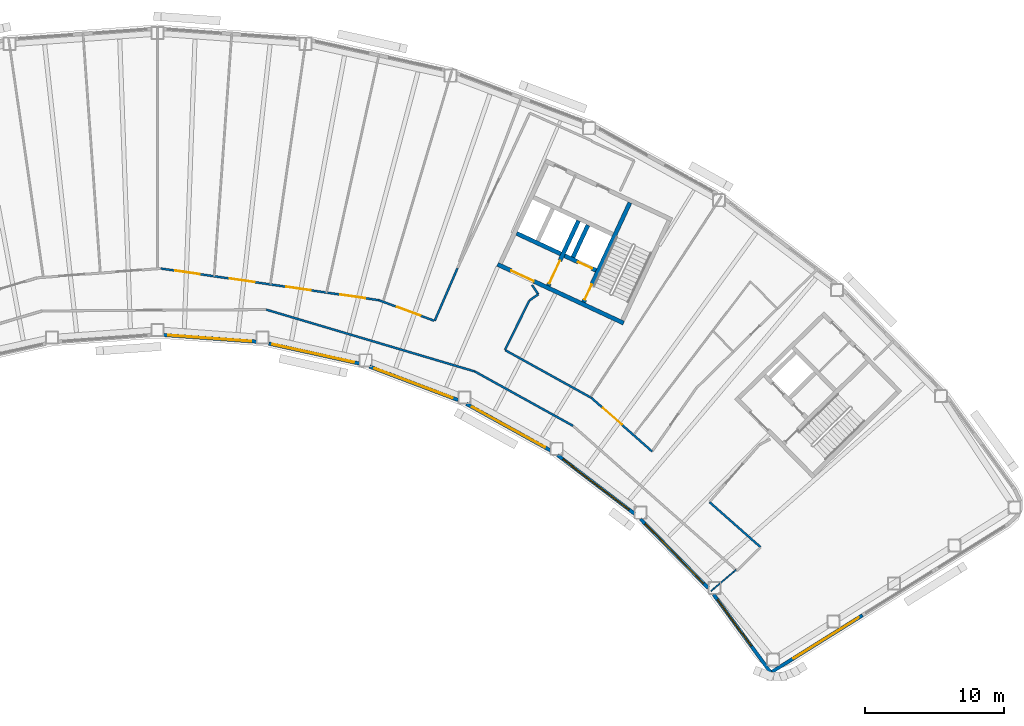
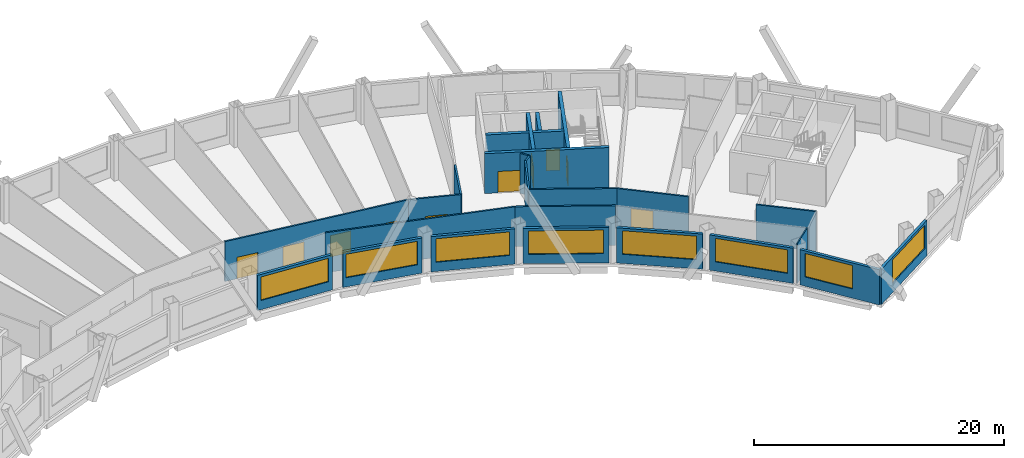
# One storey, part 8 of 13: 26 walls, 10 doors, 8 windows, 18 openings.
"""IFC4 building model written with IfcOpenShell, lengths in metres."""

import ifcopenshell
import ifcopenshell.guid

model = None  # the IFC model being written
_history = None  # IfcOwnerHistory: only IFC2X3 demands one
_inside = {}  # id of a spatial element -> (the spatial element, [elements in it])
_under = {}  # id of a project, library or spatial element -> (it, [spatial elements below it])
_declared = {}  # id of a project -> (the project, [libraries it declares])
_typed = {}  # id of a type object -> (the type object, [elements of that type])
_made_of = {}  # id of a material, layer set ... -> (it, [elements and type objects made of it])


def new_model(schema):
    """Start an empty IFC model of exactly this schema.

    Asked for "IFC4X3", IfcOpenShell would pick the latest addendum, in which some entities
    have other attributes; the version numbers below select the first issue.
    IFC2X3 requires an IfcOwnerHistory on every rooted entity: one is made here for all.
    """
    global model, _history
    if schema == "IFC4X3":
        model = ifcopenshell.file(schema_version=(4, 3, 0, 0))
    else:
        model = ifcopenshell.file(schema=schema)
    _inside.clear()
    _under.clear()
    _declared.clear()
    _typed.clear()
    _made_of.clear()
    _history = None
    if model.schema == "IFC2X3":
        org = make("IfcOrganization", Name="unknown")
        user = make(
            "IfcPersonAndOrganization",
            ThePerson=make("IfcPerson", FamilyName="unknown"),
            TheOrganization=org,
        )
        app = make(
            "IfcApplication",
            ApplicationDeveloper=org,
            Version="unknown",
            ApplicationFullName="unknown",
            ApplicationIdentifier="unknown",
        )
        _history = make(
            "IfcOwnerHistory",
            OwningUser=user,
            OwningApplication=app,
            ChangeAction="ADDED",
            CreationDate=0,
        )
    return model


def make(cls, **values):
    """One entity of the class cls with the attributes given. An attribute that is None is left unset."""
    return model.create_entity(
        cls, **{name: value for name, value in values.items() if value is not None}
    )


def rooted(cls, **values):
    """An entity with a GlobalId (a new one), such as an element, a storey or a relation."""
    return make(cls, GlobalId=ifcopenshell.guid.new(), OwnerHistory=_history, **values)


def si_unit(unit_type, name, prefix=None):
    """IfcSIUnit, for example si_unit("LENGTHUNIT", "METRE", prefix="MILLI")."""
    return make("IfcSIUnit", UnitType=unit_type, Prefix=prefix, Name=name)


def assignment(units):
    """IfcUnitAssignment: the units of a project."""
    return None if units is None else make("IfcUnitAssignment", Units=units)


def point(xyz):
    """IfcCartesianPoint."""
    return None if xyz is None else make("IfcCartesianPoint", Coordinates=xyz)


def direction(xyz):
    """IfcDirection."""
    return None if xyz is None else make("IfcDirection", DirectionRatios=xyz)


def frame(location, z_axis=None, x_axis=None):
    """IfcAxis2Placement3D, a coordinate frame: its origin and axes. An axis left out is left unset."""
    return make(
        "IfcAxis2Placement3D",
        Location=point(location),
        Axis=direction(z_axis),
        RefDirection=direction(x_axis),
    )


def frame_2d(location, x_axis=None):
    """IfcAxis2Placement2D, a coordinate frame in the plane: its origin and x axis."""
    return make(
        "IfcAxis2Placement2D", Location=point(location), RefDirection=direction(x_axis)
    )


def origin():
    """The frame at (0, 0, 0) with its axes left unset."""
    return frame((0.0, 0.0, 0.0))


def place(relative_to, where):
    """IfcLocalPlacement: puts the frame where relative to a parent placement (None: the world)."""
    return make(
        "IfcLocalPlacement", PlacementRelTo=relative_to, RelativePlacement=where
    )


def context(
    kind, dimensions, precision=None, world=None, true_north=None, identifier=None
):
    """IfcGeometricRepresentationContext, for example the 3D "Model" context."""
    return make(
        "IfcGeometricRepresentationContext",
        ContextIdentifier=identifier,
        ContextType=kind,
        CoordinateSpaceDimension=dimensions,
        Precision=precision,
        WorldCoordinateSystem=world,
        TrueNorth=true_north,
    )


def subcontext(parent, identifier, kind, view, scale=None):
    """IfcGeometricRepresentationSubContext, for example "Body" below "Model"."""
    return make(
        "IfcGeometricRepresentationSubContext",
        ContextIdentifier=identifier,
        ContextType=kind,
        ParentContext=parent,
        TargetScale=scale,
        TargetView=view,
    )


def project(units=None, contexts=None):
    """IfcProject with its units and contexts."""
    return rooted(
        "IfcProject",
        Name="project",
        RepresentationContexts=contexts,
        UnitsInContext=assignment(units),
    )


def spatial(cls, under=None, at=None, **own):
    """A site, building, storey or space (cls), placed at a placement, below another one or the project."""
    s = rooted(cls, ObjectPlacement=at, **own)
    if under is not None:
        _under.setdefault(under.id(), (under, []))[1].append(s)
    return s


def profile(cls, at=None, kind="AREA", **sizes):
    """A parametric profile (cls). Its sizes go by their IFC names, for example OverallWidth=200.0."""
    return make(cls, ProfileType=kind, Position=at, **sizes)


def rectangle(**sizes):
    """IfcRectangleProfileDef."""
    return profile("IfcRectangleProfileDef", **sizes)


def extrude(swept, where, along, depth):
    """IfcExtrudedAreaSolid: the profile swept, set in the frame where, extruded along a direction by depth."""
    return make(
        "IfcExtrudedAreaSolid",
        SweptArea=swept,
        Position=where,
        ExtrudedDirection=direction(along),
        Depth=depth,
    )


def shape(context_of_items, identifier, shape_type, items):
    """IfcShapeRepresentation: the items that make up one representation, for example the "Body"."""
    return make(
        "IfcShapeRepresentation",
        ContextOfItems=context_of_items,
        RepresentationIdentifier=identifier,
        RepresentationType=shape_type,
        Items=items,
    )


def material(Name=None, Category=None):
    """IfcMaterial."""
    return make("IfcMaterial", Name=Name, Category=Category)


def layer(
    of_material, thickness, ventilated=None, Name=None, Category=None, Priority=None
):
    """IfcMaterialLayer: one layer of a wall or slab, of a material (None: an air gap)."""
    return make(
        "IfcMaterialLayer",
        Material=of_material,
        LayerThickness=thickness,
        IsVentilated=ventilated,
        Name=Name,
        Category=Category,
        Priority=Priority,
    )


def layer_set(layers, Name=None):
    """IfcMaterialLayerSet."""
    return make("IfcMaterialLayerSet", MaterialLayers=layers, LayerSetName=Name)


def made_of(thing, what):
    """Note that an element or type object is made of a material, layer set ...; save() writes the relation."""
    if what is not None:
        _made_of.setdefault(what.id(), (what, []))[1].append(thing)
    return thing


def type_object(cls, material=None, **own):
    """A type object (cls), such as IfcWallType, which elements share."""
    return made_of(rooted(cls, **own), material)


def element(
    cls,
    number,
    at=None,
    inside=None,
    cuts=None,
    type_object=None,
    material=None,
    context=None,
    identifier="Body",
    shape_type=None,
    held_by="IfcProductDefinitionShape",
    body=None,
    shapes=None,
    **own,
):
    """One element of the class cls, such as IfcWall. Its Tag is "e" and its number.

    at: its placement. inside: the storey or other place that contains it. cuts: it is an
    opening in that element (IfcRelVoidsElement). A single representation is given by context,
    identifier, shape_type and body (its items); several are given by shapes. held_by: the class
    of the entity that holds the representations. save() writes the other relations.
    """
    e = rooted(cls, Tag="e%d" % number, ObjectPlacement=at, **own)
    if body is not None:
        shapes = [shape(context, identifier, shape_type, body)]
    if shapes is not None:
        e.Representation = make(held_by, Representations=shapes)
    if inside is not None:
        _inside.setdefault(inside.id(), (inside, []))[1].append(e)
    if cuts is not None:
        rooted(
            "IfcRelVoidsElement", RelatingBuildingElement=cuts, RelatedOpeningElement=e
        )
    if type_object is not None:
        _typed.setdefault(type_object.id(), (type_object, []))[1].append(e)
    return made_of(e, material)


def fill(opening, filler):
    """IfcRelFillsElement: the door or window that sits in an opening."""
    return rooted(
        "IfcRelFillsElement",
        RelatingOpeningElement=opening,
        RelatedBuildingElement=filler,
    )


def aggregate(whole, parts):
    """IfcRelAggregates: a whole, such as a stair, and the parts it consists of."""
    return rooted("IfcRelAggregates", RelatingObject=whole, RelatedObjects=parts)


def save(model, path):
    """Write the relations noted so far, then the file.

    IfcRelAggregates (storeys below a building ...), IfcRelContainedInSpatialStructure (elements
    in a storey), IfcRelDefinesByType, IfcRelAssociatesMaterial and IfcRelDeclares: one each for
    every whole, place, type object, material and project.
    """
    for whole, parts in _under.values():
        aggregate(whole, parts)
    for where, things in _inside.values():
        rooted(
            "IfcRelContainedInSpatialStructure",
            RelatedElements=things,
            RelatingStructure=where,
        )
    for kind, things in _typed.values():
        rooted("IfcRelDefinesByType", RelatedObjects=things, RelatingType=kind)
    for what, things in _made_of.values():
        rooted("IfcRelAssociatesMaterial", RelatedObjects=things, RelatingMaterial=what)
    for by, libraries in _declared.values():
        rooted("IfcRelDeclares", RelatingContext=by, RelatedDefinitions=libraries)
    model.write(path)


model = new_model("IFC4")

# Units and contexts
model_context = context("Model", 3, precision=1e-05, world=origin(), true_north=direction((0.0, 1.0)))
body_context = subcontext(model_context, "Body", "Model", "MODEL_VIEW")
ifc_project = project(units=[si_unit("LENGTHUNIT", "METRE"), si_unit("AREAUNIT", "SQUARE_METRE"), si_unit("VOLUMEUNIT", "CUBIC_METRE"), si_unit("PLANEANGLEUNIT", "RADIAN"), si_unit("MASSUNIT", "GRAM", prefix="KILO")], contexts=[model_context])

# Site, building, storey
site_placement = place(None, origin())
site = spatial("IfcSite", under=ifc_project, at=site_placement, CompositionType="ELEMENT")
building_placement = place(site_placement, origin())
building = spatial("IfcBuilding", under=site, at=building_placement, Name="Tuul Gate Civic Tower", CompositionType="ELEMENT")
storey_placement = place(building_placement, frame((0.0, 0.0, 188.89990234375)))
storey = spatial("IfcBuildingStorey", under=building, at=storey_placement, Name="Level 43", CompositionType="ELEMENT", Elevation=188.89990234375)

# Wall, opening, door
ifc_material_1 = material(Name="Concrete C50/60", Category="concrete")
ifc_layer_1 = layer(ifc_material_1, 0.300048828125)
ifc_layer_set_1 = layer_set([ifc_layer_1], Name="Concrete C50/60")
wall_type_1 = type_object("IfcWallType", Name="Core wall C50/60", PredefinedType="SHEAR", material=ifc_layer_set_1)
wall_1_placement = place(storey_placement, frame((34.5283203125, -7.25, 0.0), z_axis=(0.0, 0.0, 1.0), x_axis=(-0.906310338845, 0.422612789327, 0.0)))
wall_1 = element("IfcWall", 1, at=wall_1_placement, inside=storey, type_object=wall_type_1, Name="Core wall", PredefinedType="SHEAR", context=body_context, shape_type="SweptSolid", body=[
    extrude(rectangle(XDim=9.999755859375, YDim=0.300048828125, at=frame_2d((5.0, 0.0))), origin(), (0.0, 0.0, 1.0), 3.900146484375),
])
opening_1_placement = place(wall_1_placement, frame((7.125, 0.0, 0.0)))
opening_1 = element("IfcOpeningElement", 2, at=opening_1_placement, cuts=wall_1, Name="Opening LB-E3-LOBBY-1", PredefinedType="OPENING", context=body_context, shape_type="SweptSolid", body=[
    extrude(rectangle(XDim=1.800048828125, YDim=2.10009765625, at=frame_2d((0.89990234375, 1.050048828125))), frame((0.0, 0.16015625, 0.0), z_axis=(0.0, -1.0, 0.0), x_axis=(1.0, 0.0, 0.0)), (0.0, 0.0, 1.0), 0.320068359375),
])
ifc_material_2 = material(Name="Steel", Category="steel")
door_type_1 = type_object("IfcDoorType", Name="Lobby door", OperationType="DOUBLE_DOOR_SINGLE_SWING", PredefinedType="DOOR", material=ifc_material_2)
door_1_placement = place(opening_1_placement, frame((1.800048828125, 0.0, 0.0), z_axis=(0.0, 0.0, 1.0), x_axis=(-1.0, 0.0, 0.0)))
door_1 = element("IfcDoor", 3, at=door_1_placement, inside=storey, type_object=door_type_1, Name="Lobby door E3-LOBBY", OperationType="DOUBLE_DOOR_SINGLE_SWING", OverallHeight=2.10009765625, OverallWidth=1.800048828125, PredefinedType="DOOR", context=body_context, shape_type="SweptSolid", body=[
    extrude(rectangle(XDim=1.800048828125, YDim=2.10009765625, at=frame_2d((0.900146484375, 1.050048828125))), frame((0.0, 0.02490234375, 0.0), z_axis=(0.0, -1.0, 0.0), x_axis=(1.0, 0.0, 0.0)), (0.0, 0.0, 1.0), 0.050048828125),
])
fill(opening_1, door_1)

wall_2_placement = place(storey_placement, frame((32.545654296875, -3.456787109375, 0.0), z_axis=(0.0, 0.0, 1.0), x_axis=(-0.906300357825, 0.42263419337, 0.0)))
wall_2 = element("IfcWall", 4, at=wall_2_placement, inside=storey, type_object=wall_type_1, Name="Core wall", PredefinedType="SHEAR", context=body_context, shape_type="SweptSolid", body=[
    extrude(rectangle(XDim=2.500244140625, YDim=0.300048828125, at=frame_2d((1.25, 0.0))), origin(), (0.0, 0.0, 1.0), 3.900146484375),
])
opening_2_placement = place(wall_2_placement, frame((0.324951171875, 0.0, 0.0)))
opening_2 = element("IfcOpeningElement", 5, at=opening_2_placement, cuts=wall_2, Name="Opening LD-FF-2", PredefinedType="OPENING", context=body_context, shape_type="SweptSolid", body=[
    extrude(rectangle(XDim=1.10009765625, YDim=2.10009765625, at=frame_2d((0.550048828125, 1.050048828125))), frame((0.0, 0.16015625, 0.0), z_axis=(0.0, -1.0, 0.0), x_axis=(1.0, 0.0, 0.0)), (0.0, 0.0, 1.0), 0.320068359375),
])
ifc_material_3 = material(Name="Stainless steel", Category="steel")
door_type_2 = type_object("IfcDoorType", Name="Landing door", OperationType="DOUBLE_DOOR_SLIDING", PredefinedType="DOOR", material=ifc_material_3)
door_2_placement = place(opening_2_placement, origin())
door_2 = element("IfcDoor", 6, at=door_2_placement, inside=storey, type_object=door_type_2, Name="Fire-fighting lift FF-2 landing door", OperationType="DOUBLE_DOOR_SLIDING", OverallHeight=2.10009765625, OverallWidth=1.10009765625, PredefinedType="DOOR", context=body_context, shape_type="SweptSolid", body=[
    extrude(rectangle(XDim=1.10009765625, YDim=2.10009765625, at=frame_2d((0.550048828125, 1.050048828125))), frame((0.0, 0.02490234375, 0.0), z_axis=(0.0, -1.0, 0.0), x_axis=(1.0, 0.0, 0.0)), (0.0, 0.0, 1.0), 0.050048828125),
])
fill(opening_2, door_2)

# Wall
wall_3_placement = place(storey_placement, frame((30.0078125, -2.2734375, 0.0), z_axis=(0.0, 0.0, 1.0), x_axis=(-0.90630071767, 0.422633421716, 0.0)))
element("IfcWall", 7, at=wall_3_placement, inside=storey, type_object=wall_type_1, Name="Core wall", PredefinedType="SHEAR", context=body_context, shape_type="SweptSolid", body=[
    extrude(rectangle(XDim=3.5, YDim=0.300048828125, at=frame_2d((1.75, 0.0))), origin(), (0.0, 0.0, 1.0), 3.900146484375),
])

# Wall, opening, door
wall_4_placement = place(storey_placement, frame((31.646240234375, -5.740478515625, 0.0), z_axis=(0.0, 0.0, 1.0), x_axis=(0.422582604137, 0.906324413596, 0.0)))
wall_4 = element("IfcWall", 8, at=wall_4_placement, inside=storey, type_object=wall_type_1, Name="Core wall", PredefinedType="SHEAR", context=body_context, shape_type="SweptSolid", body=[
    extrude(rectangle(XDim=7.89990234375, YDim=0.300048828125, at=frame_2d((3.949951171875, 0.0))), origin(), (0.0, 0.0, 1.0), 3.900146484375),
])
opening_3_placement = place(wall_4_placement, frame((0.199951171875, 0.0, 0.0)))
opening_3 = element("IfcOpeningElement", 9, at=opening_3_placement, cuts=wall_4, Name="Opening SD-ST-4", PredefinedType="OPENING", context=body_context, shape_type="SweptSolid", body=[
    extrude(rectangle(XDim=1.199951171875, YDim=2.10009765625, at=frame_2d((0.60009765625, 1.050048828125))), frame((0.0, 0.16015625, 0.0), z_axis=(0.0, -1.0, 0.0), x_axis=(1.0, 0.0, 0.0)), (0.0, 0.0, 1.0), 0.320068359375),
])
ifc_material_4 = material(Name="Steel", Category="steel")
door_type_3 = type_object("IfcDoorType", Name="Stair door", OperationType="NOTDEFINED", PredefinedType="DOOR", material=ifc_material_4)
door_3_placement = place(opening_3_placement, origin())
door_3 = element("IfcDoor", 10, at=door_3_placement, inside=storey, type_object=door_type_3, Name="Stair door ST-4", OperationType="SINGLE_SWING_LEFT", OverallHeight=2.10009765625, OverallWidth=1.199951171875, PredefinedType="DOOR", context=body_context, shape_type="SweptSolid", body=[
    extrude(rectangle(XDim=1.199951171875, YDim=2.10009765625, at=frame_2d((0.60009765625, 1.050048828125))), frame((0.0, 0.02490234375, 0.0), z_axis=(0.0, -1.0, 0.0), x_axis=(1.0, 0.0, 0.0)), (0.0, 0.0, 1.0), 0.050048828125),
])
fill(opening_3, door_3)

# Wall
wall_5_placement = place(storey_placement, frame((30.886962890625, -2.517822265625, 0.0), z_axis=(0.0, 0.0, 1.0), x_axis=(0.422612891016, 0.906310291427, 0.0)))
element("IfcWall", 11, at=wall_5_placement, inside=storey, type_object=wall_type_1, Name="Core wall", PredefinedType="SHEAR", context=body_context, shape_type="SweptSolid", body=[
    extrude(rectangle(XDim=2.550048828125, YDim=0.300048828125, at=frame_2d((1.27490234375, 0.0))), origin(), (0.0, 0.0, 1.0), 3.900146484375),
])

# Wall, opening, door
wall_6_placement = place(storey_placement, frame((29.108642578125, -4.557373046875, 0.0), z_axis=(0.0, 0.0, 1.0), x_axis=(0.422566235356, 0.90633204552, 0.0)))
wall_6 = element("IfcWall", 12, at=wall_6_placement, inside=storey, type_object=wall_type_1, Name="Core wall", PredefinedType="SHEAR", context=body_context, shape_type="SweptSolid", body=[
    extrude(rectangle(XDim=5.150146484375, YDim=0.300048828125, at=frame_2d((2.5751953125, 0.0))), origin(), (0.0, 0.0, 1.0), 3.900146484375),
])
opening_4_placement = place(wall_6_placement, frame((0.175048828125, 0.0, 0.0)))
opening_4 = element("IfcOpeningElement", 13, at=opening_4_placement, cuts=wall_6, Name="Opening LB-E3-FLOBBY-1", PredefinedType="OPENING", context=body_context, shape_type="SweptSolid", body=[
    extrude(rectangle(XDim=1.800048828125, YDim=2.10009765625, at=frame_2d((0.89990234375, 1.050048828125))), frame((0.0, 0.16015625, 0.0), z_axis=(0.0, -1.0, 0.0), x_axis=(1.0, 0.0, 0.0)), (0.0, 0.0, 1.0), 0.320068359375),
])
door_4_placement = place(opening_4_placement, frame((1.800048828125, 0.0, 0.0), z_axis=(0.0, 0.0, 1.0), x_axis=(-1.0, 0.0, 0.0)))
door_4 = element("IfcDoor", 14, at=door_4_placement, inside=storey, type_object=door_type_1, Name="Lobby door E3-FLOBBY", OperationType="DOUBLE_DOOR_SINGLE_SWING", OverallHeight=2.10009765625, OverallWidth=1.800048828125, PredefinedType="DOOR", context=body_context, shape_type="SweptSolid", body=[
    extrude(rectangle(XDim=1.800048828125, YDim=2.10009765625, at=frame_2d((0.900146484375, 1.050048828125))), frame((0.0, 0.02490234375, 0.0), z_axis=(0.0, -1.0, 0.0), x_axis=(1.0, 0.0, 0.0)), (0.0, 0.0, 1.0), 0.050048828125),
])
fill(opening_4, door_4)

ifc_material_5 = material(Name="Gypsum board partition")
ifc_layer_2 = layer(ifc_material_5, 0.14990234375)
ifc_layer_set_2 = layer_set([ifc_layer_2], Name="Gypsum board partition")
wall_type_2 = type_object("IfcWallType", Name="Corridor wall P150", PredefinedType="PARTITIONING", material=ifc_layer_set_2)
wall_7_placement = place(storey_placement, frame((32.206298828125, -12.62255859375, 0.0), z_axis=(0.0, 0.0, 1.0), x_axis=(0.749813421026, -0.661649328307, 0.0)))
wall_7 = element("IfcWall", 15, at=wall_7_placement, inside=storey, type_object=wall_type_2, Name="p003", PredefinedType="PARTITIONING", context=body_context, shape_type="SweptSolid", body=[
    extrude(rectangle(XDim=5.831787109375, YDim=0.14990234375, at=frame_2d((2.916015625, 0.0))), origin(), (0.0, 0.0, 1.0), 3.900146484375),
])
opening_5_placement = place(wall_7_placement, frame((1.123046875, 0.0, 0.0)))
opening_5 = element("IfcOpeningElement", 16, at=opening_5_placement, cuts=wall_7, Name="Opening O-D03", PredefinedType="OPENING", context=body_context, shape_type="SweptSolid", body=[
    extrude(rectangle(XDim=1.800048828125, YDim=2.10009765625, at=frame_2d((0.89990234375, 1.050048828125))), frame((0.0, 0.0849609375, 0.0), z_axis=(0.0, -1.0, 0.0), x_axis=(1.0, 0.0, 0.0)), (0.0, 0.0, 1.0), 0.169921875),
])
ifc_material_6 = material(Name="Timber door leaf, double", Category="wood")
door_type_4 = type_object("IfcDoorType", Name="Door D18", OperationType="DOUBLE_DOOR_SINGLE_SWING", PredefinedType="DOOR", material=ifc_material_6)
door_5_placement = place(opening_5_placement, origin())
door_5 = element("IfcDoor", 17, at=door_5_placement, inside=storey, type_object=door_type_4, Name="Door O-D03", OperationType="DOUBLE_DOOR_SINGLE_SWING", OverallHeight=2.10009765625, OverallWidth=1.800048828125, PredefinedType="DOOR", context=body_context, shape_type="SweptSolid", body=[
    extrude(rectangle(XDim=1.800048828125, YDim=2.10009765625, at=frame_2d((0.89990234375, 1.050048828125))), frame((0.0, 0.02490234375, 0.0), z_axis=(0.0, -1.0, 0.0), x_axis=(1.0, 0.0, 0.0)), (0.0, 0.0, 1.0), 0.050048828125),
])
fill(opening_5, door_5)

# Walls
wall_8_placement = place(storey_placement, frame((40.717041015625, -20.132568359375, 0.0), z_axis=(0.0, 0.0, 1.0), x_axis=(0.749820408887, -0.661641409237, 0.0)))
element("IfcWall", 18, at=wall_8_placement, inside=storey, type_object=wall_type_2, Name="p004", PredefinedType="PARTITIONING", context=body_context, shape_type="SweptSolid", body=[
    extrude(rectangle(XDim=4.900634765625, YDim=0.14990234375, at=frame_2d((2.4501953125, 0.0))), origin(), (0.0, 0.0, 1.0), 3.900146484375),
])
wall_9_placement = place(storey_placement, frame((26.01025390625, -9.193603515625, 0.0), z_axis=(0.0, 0.0, 1.0), x_axis=(0.874952938099, -0.484207967832, 0.0)))
element("IfcWall", 19, at=wall_9_placement, inside=storey, type_object=wall_type_2, Name="p014", PredefinedType="PARTITIONING", context=body_context, shape_type="SweptSolid", body=[
    extrude(rectangle(XDim=7.08154296875, YDim=0.14990234375, at=frame_2d((3.540771484375, 0.0))), origin(), (0.0, 0.0, 1.0), 3.900146484375),
])
wall_10_placement = place(storey_placement, frame((26.001953125, -9.167236328125, 0.0), z_axis=(0.0, 0.0, 1.0), x_axis=(0.441987219409, 0.897021347505, 0.0)))
element("IfcWall", 20, at=wall_10_placement, inside=storey, type_object=wall_type_2, Name="p017", PredefinedType="PARTITIONING", context=body_context, shape_type="SweptSolid", body=[
    extrude(rectangle(XDim=3.9482421875, YDim=0.14990234375, at=frame_2d((1.97412109375, 0.0))), origin(), (0.0, 0.0, 1.0), 3.900146484375),
])
wall_11_placement = place(storey_placement, frame((27.753662109375, -5.617919921875, 0.0), z_axis=(0.0, 0.0, 1.0), x_axis=(0.823348675127, 0.567535865973, 0.0)))
element("IfcWall", 21, at=wall_11_placement, inside=storey, type_object=wall_type_2, Name="p018", PredefinedType="PARTITIONING", context=body_context, shape_type="SweptSolid", body=[
    extrude(rectangle(XDim=0.78173828125, YDim=0.14990234375, at=frame_2d((0.390869140625, 0.0))), origin(), (0.0, 0.0, 1.0), 3.900146484375),
])
wall_12_placement = place(storey_placement, frame((27.939453125, -4.509033203125, 0.0), z_axis=(0.0, 0.0, 1.0), x_axis=(0.567478453598, -0.823388246638, 0.0)))
element("IfcWall", 22, at=wall_12_placement, inside=storey, type_object=wall_type_2, Name="p019", PredefinedType="PARTITIONING", context=body_context, shape_type="SweptSolid", body=[
    extrude(rectangle(XDim=0.80712890625, YDim=0.14990234375, at=frame_2d((0.403564453125, 0.0))), origin(), (0.0, 0.0, 1.0), 3.900146484375),
])
wall_13_placement = place(storey_placement, frame((20.9423828125, -7.07421875, 0.0), z_axis=(0.0, 0.0, 1.0), x_axis=(0.397708945577, 0.917511631865, 0.0)))
element("IfcWall", 23, at=wall_13_placement, inside=storey, type_object=wall_type_2, Name="p025", PredefinedType="PARTITIONING", context=body_context, shape_type="SweptSolid", body=[
    extrude(rectangle(XDim=4.1171875, YDim=0.14990234375, at=frame_2d((2.05859375, 0.0))), origin(), (0.0, 0.0, 1.0), 3.900146484375),
])

# Wall, opening, door
wall_14_placement = place(storey_placement, frame((16.92041015625, -5.599609375, 0.0), z_axis=(0.0, 0.0, 1.0), x_axis=(0.937337134743, -0.348423730294, 0.0)))
wall_14 = element("IfcWall", 24, at=wall_14_placement, inside=storey, type_object=wall_type_2, Name="p028", PredefinedType="PARTITIONING", context=body_context, shape_type="SweptSolid", body=[
    extrude(rectangle(XDim=4.263671875, YDim=0.14990234375, at=frame_2d((2.1318359375, 0.0))), origin(), (0.0, 0.0, 1.0), 3.900146484375),
])
opening_6_placement = place(wall_14_placement, frame((1.39599609375, 0.0, 0.0)))
opening_6 = element("IfcOpeningElement", 25, at=opening_6_placement, cuts=wall_14, Name="Opening O-D05", PredefinedType="OPENING", context=body_context, shape_type="SweptSolid", body=[
    extrude(rectangle(XDim=1.800048828125, YDim=2.10009765625, at=frame_2d((0.89990234375, 1.050048828125))), frame((0.0, 0.0849609375, 0.0), z_axis=(0.0, -1.0, 0.0), x_axis=(1.0, 0.0, 0.0)), (0.0, 0.0, 1.0), 0.169921875),
])
door_6_placement = place(opening_6_placement, origin())
door_6 = element("IfcDoor", 26, at=door_6_placement, inside=storey, type_object=door_type_4, Name="Door O-D05", OperationType="DOUBLE_DOOR_SINGLE_SWING", OverallHeight=2.10009765625, OverallWidth=1.800048828125, PredefinedType="DOOR", context=body_context, shape_type="SweptSolid", body=[
    extrude(rectangle(XDim=1.800048828125, YDim=2.10009765625, at=frame_2d((0.89990234375, 1.050048828125))), frame((0.0, 0.02490234375, 0.0), z_axis=(0.0, -1.0, 0.0), x_axis=(1.0, 0.0, 0.0)), (0.0, 0.0, 1.0), 0.050048828125),
])
fill(opening_6, door_6)

# Wall, openings, doors
wall_15_placement = place(storey_placement, frame((1.2314453125, -3.321044921875, 0.0), z_axis=(0.0, 0.0, 1.0), x_axis=(0.98961816438, -0.143721566678, 0.0)))
wall_15 = element("IfcWall", 27, at=wall_15_placement, inside=storey, type_object=wall_type_2, Name="p030", PredefinedType="PARTITIONING", context=body_context, shape_type="SweptSolid", body=[
    extrude(rectangle(XDim=15.852294921875, YDim=0.14990234375, at=frame_2d((7.92626953125, 0.0))), origin(), (0.0, 0.0, 1.0), 3.900146484375),
])
opening_7_placement = place(wall_15_placement, frame((13.0537109375, 0.0, 0.0)))
opening_7 = element("IfcOpeningElement", 28, at=opening_7_placement, cuts=wall_15, Name="Opening O-D06", PredefinedType="OPENING", context=body_context, shape_type="SweptSolid", body=[
    extrude(rectangle(XDim=1.800048828125, YDim=2.10009765625, at=frame_2d((0.89990234375, 1.050048828125))), frame((0.0, 0.0849609375, 0.0), z_axis=(0.0, -1.0, 0.0), x_axis=(1.0, 0.0, 0.0)), (0.0, 0.0, 1.0), 0.169921875),
])
opening_8_placement = place(wall_15_placement, frame((9.1123046875, 0.0, 0.0)))
opening_8 = element("IfcOpeningElement", 29, at=opening_8_placement, cuts=wall_15, Name="Opening O-D07", PredefinedType="OPENING", context=body_context, shape_type="SweptSolid", body=[
    extrude(rectangle(XDim=1.800048828125, YDim=2.10009765625, at=frame_2d((0.89990234375, 1.050048828125))), frame((0.0, 0.0849609375, 0.0), z_axis=(0.0, -1.0, 0.0), x_axis=(1.0, 0.0, 0.0)), (0.0, 0.0, 1.0), 0.169921875),
])
opening_9_placement = place(wall_15_placement, frame((5.02685546875, 0.0, 0.0)))
opening_9 = element("IfcOpeningElement", 30, at=opening_9_placement, cuts=wall_15, Name="Opening O-D08", PredefinedType="OPENING", context=body_context, shape_type="SweptSolid", body=[
    extrude(rectangle(XDim=1.800048828125, YDim=2.10009765625, at=frame_2d((0.89990234375, 1.050048828125))), frame((0.0, 0.0849609375, 0.0), z_axis=(0.0, -1.0, 0.0), x_axis=(1.0, 0.0, 0.0)), (0.0, 0.0, 1.0), 0.169921875),
])
opening_10_placement = place(wall_15_placement, frame((1.0419921875, 0.0, 0.0)))
opening_10 = element("IfcOpeningElement", 31, at=opening_10_placement, cuts=wall_15, Name="Opening O-D09", PredefinedType="OPENING", context=body_context, shape_type="SweptSolid", body=[
    extrude(rectangle(XDim=1.800048828125, YDim=2.10009765625, at=frame_2d((0.89990234375, 1.050048828125))), frame((0.0, 0.0849609375, 0.0), z_axis=(0.0, -1.0, 0.0), x_axis=(1.0, 0.0, 0.0)), (0.0, 0.0, 1.0), 0.169921875),
])
door_7_placement = place(opening_7_placement, origin())
door_7 = element("IfcDoor", 32, at=door_7_placement, inside=storey, type_object=door_type_4, Name="Door O-D06", OperationType="DOUBLE_DOOR_SINGLE_SWING", OverallHeight=2.10009765625, OverallWidth=1.800048828125, PredefinedType="DOOR", context=body_context, shape_type="SweptSolid", body=[
    extrude(rectangle(XDim=1.800048828125, YDim=2.10009765625, at=frame_2d((0.89990234375, 1.050048828125))), frame((0.0, 0.02490234375, 0.0), z_axis=(0.0, -1.0, 0.0), x_axis=(1.0, 0.0, 0.0)), (0.0, 0.0, 1.0), 0.050048828125),
])
fill(opening_7, door_7)
door_8_placement = place(opening_8_placement, origin())
door_8 = element("IfcDoor", 33, at=door_8_placement, inside=storey, type_object=door_type_4, Name="Door O-D07", OperationType="DOUBLE_DOOR_SINGLE_SWING", OverallHeight=2.10009765625, OverallWidth=1.800048828125, PredefinedType="DOOR", context=body_context, shape_type="SweptSolid", body=[
    extrude(rectangle(XDim=1.800048828125, YDim=2.10009765625, at=frame_2d((0.89990234375, 1.050048828125))), frame((0.0, 0.02490234375, 0.0), z_axis=(0.0, -1.0, 0.0), x_axis=(1.0, 0.0, 0.0)), (0.0, 0.0, 1.0), 0.050048828125),
])
fill(opening_8, door_8)
door_9_placement = place(opening_9_placement, origin())
door_9 = element("IfcDoor", 34, at=door_9_placement, inside=storey, type_object=door_type_4, Name="Door O-D08", OperationType="DOUBLE_DOOR_SINGLE_SWING", OverallHeight=2.10009765625, OverallWidth=1.800048828125, PredefinedType="DOOR", context=body_context, shape_type="SweptSolid", body=[
    extrude(rectangle(XDim=1.800048828125, YDim=2.10009765625, at=frame_2d((0.89990234375, 1.050048828125))), frame((0.0, 0.02490234375, 0.0), z_axis=(0.0, -1.0, 0.0), x_axis=(1.0, 0.0, 0.0)), (0.0, 0.0, 1.0), 0.050048828125),
])
fill(opening_9, door_9)
door_10_placement = place(opening_10_placement, origin())
door_10 = element("IfcDoor", 35, at=door_10_placement, inside=storey, type_object=door_type_4, Name="Door O-D09", OperationType="DOUBLE_DOOR_SINGLE_SWING", OverallHeight=2.10009765625, OverallWidth=1.800048828125, PredefinedType="DOOR", context=body_context, shape_type="SweptSolid", body=[
    extrude(rectangle(XDim=1.800048828125, YDim=2.10009765625, at=frame_2d((0.89990234375, 1.050048828125))), frame((0.0, 0.02490234375, 0.0), z_axis=(0.0, -1.0, 0.0), x_axis=(1.0, 0.0, 0.0)), (0.0, 0.0, 1.0), 0.050048828125),
])
fill(opening_10, door_10)

# Walls
wall_16_placement = place(storey_placement, frame((8.817138671875, -6.277587890625, 0.0), z_axis=(0.0, 0.0, 1.0), x_axis=(0.958771503683, -0.284178119718, 0.0)))
element("IfcWall", 36, at=wall_16_placement, inside=storey, type_object=wall_type_2, Name="p064", PredefinedType="PARTITIONING", context=body_context, shape_type="SweptSolid", body=[
    extrude(rectangle(XDim=15.645263671875, YDim=0.14990234375, at=frame_2d((7.82275390625, 0.0))), origin(), (0.0, 0.0, 1.0), 3.900146484375),
])
wall_17_placement = place(storey_placement, frame((23.8212890625, -10.725341796875, 0.0), z_axis=(0.0, 0.0, 1.0), x_axis=(0.874970030344, -0.484177081243, 0.0)))
element("IfcWall", 37, at=wall_17_placement, inside=storey, type_object=wall_type_2, Name="p065", PredefinedType="PARTITIONING", context=body_context, shape_type="SweptSolid", body=[
    extrude(rectangle(XDim=8.078369140625, YDim=0.14990234375, at=frame_2d((4.0390625, 0.0))), origin(), (0.0, 0.0, 1.0), 3.900146484375),
])

# Wall, opening, window
ifc_material_7 = material(Name="Precast concrete C40/50", Category="concrete")
ifc_layer_3 = layer(ifc_material_7, 0.25)
ifc_layer_set_3 = layer_set([ifc_layer_3], Name="Precast concrete C40/50")
wall_type_3 = type_object("IfcWallType", Name="External wall", PredefinedType="STANDARD", material=ifc_layer_set_3)
wall_18_placement = place(storey_placement, frame((1.43994140625, -8.098388671875, 0.0), z_axis=(0.0, 0.0, 1.0), x_axis=(0.99738574908, -0.072261106633, 0.0)))
wall_18 = element("IfcWall", 38, at=wall_18_placement, inside=storey, type_object=wall_type_3, Name="External wall", PredefinedType="STANDARD", context=body_context, shape_type="SweptSolid", body=[
    extrude(rectangle(XDim=6.689697265625, YDim=0.25, at=frame_2d((3.3447265625, 0.0))), origin(), (0.0, 0.0, 1.0), 3.4501953125),
])
opening_11_placement = place(wall_18_placement, frame((0.3212890625, 0.0, 0.89990234375)))
opening_11 = element("IfcOpeningElement", 39, at=opening_11_placement, cuts=wall_18, Name="Opening W26", PredefinedType="OPENING", context=body_context, shape_type="SweptSolid", body=[
    extrude(rectangle(XDim=6.0, YDim=2.300048828125, at=frame_2d((3.0, 1.14990234375))), frame((0.0, 0.135009765625, 0.0), z_axis=(0.0, -1.0, 0.0), x_axis=(1.0, 0.0, 0.0)), (0.0, 0.0, 1.0), 0.27001953125),
])
ifc_material_8 = material(Name="Glass", Category="glass")
window_type_1 = type_object("IfcWindowType", Name="Window W26 6000 x 2300", PartitioningType="SINGLE_PANEL", PredefinedType="WINDOW", material=ifc_material_8)
window_1_placement = place(opening_11_placement, origin())
window_1 = element("IfcWindow", 40, at=window_1_placement, inside=storey, type_object=window_type_1, Name="Window", OverallHeight=2.300048828125, OverallWidth=6.0, PartitioningType="SINGLE_PANEL", PredefinedType="WINDOW", context=body_context, shape_type="SweptSolid", body=[
    extrude(rectangle(XDim=6.0, YDim=2.300048828125, at=frame_2d((3.0, 1.14990234375))), frame((0.0, 0.030029296875, 0.0), z_axis=(0.0, -1.0, 0.0), x_axis=(1.0, 0.0, 0.0)), (0.0, 0.0, 1.0), 0.06005859375),
])
fill(opening_11, window_1)

wall_19_placement = place(storey_placement, frame((9.011962890625, -8.720458984375, 0.0), z_axis=(0.0, 0.0, 1.0), x_axis=(0.976558520258, -0.21525207667, 0.0)))
wall_19 = element("IfcWall", 41, at=wall_19_placement, inside=storey, type_object=wall_type_3, Name="External wall", PredefinedType="STANDARD", context=body_context, shape_type="SweptSolid", body=[
    extrude(rectangle(XDim=6.670166015625, YDim=0.25, at=frame_2d((3.3349609375, 0.0))), origin(), (0.0, 0.0, 1.0), 3.4501953125),
])
opening_12_placement = place(wall_19_placement, frame((0.263427734375, 0.0, 0.89990234375)))
opening_12 = element("IfcOpeningElement", 42, at=opening_12_placement, cuts=wall_19, Name="Opening W26", PredefinedType="OPENING", context=body_context, shape_type="SweptSolid", body=[
    extrude(rectangle(XDim=6.0, YDim=2.300048828125, at=frame_2d((3.0, 1.14990234375))), frame((0.0, 0.135009765625, 0.0), z_axis=(0.0, -1.0, 0.0), x_axis=(1.0, 0.0, 0.0)), (0.0, 0.0, 1.0), 0.27001953125),
])
window_2_placement = place(opening_12_placement, origin())
window_2 = element("IfcWindow", 43, at=window_2_placement, inside=storey, type_object=window_type_1, Name="Window", OverallHeight=2.300048828125, OverallWidth=6.0, PartitioningType="SINGLE_PANEL", PredefinedType="WINDOW", context=body_context, shape_type="SweptSolid", body=[
    extrude(rectangle(XDim=6.0, YDim=2.300048828125, at=frame_2d((3.0, 1.14990234375))), frame((0.0, 0.030029296875, 0.0), z_axis=(0.0, -1.0, 0.0), x_axis=(1.0, 0.0, 0.0)), (0.0, 0.0, 1.0), 0.06005859375),
])
fill(opening_12, window_2)

wall_20_placement = place(storey_placement, frame((16.248046875, -10.373046875, 0.0), z_axis=(0.0, 0.0, 1.0), x_axis=(0.935360534404, -0.353695731779, 0.0)))
wall_20 = element("IfcWall", 44, at=wall_20_placement, inside=storey, type_object=wall_type_3, Name="External wall", PredefinedType="STANDARD", context=body_context, shape_type="SweptSolid", body=[
    extrude(rectangle(XDim=6.81982421875, YDim=0.25, at=frame_2d((3.409912109375, 0.0))), origin(), (0.0, 0.0, 1.0), 3.4501953125),
])
opening_13_placement = place(wall_20_placement, frame((0.3818359375, 0.0, 0.89990234375)))
opening_13 = element("IfcOpeningElement", 45, at=opening_13_placement, cuts=wall_20, Name="Opening W26", PredefinedType="OPENING", context=body_context, shape_type="SweptSolid", body=[
    extrude(rectangle(XDim=6.0, YDim=2.300048828125, at=frame_2d((3.0, 1.14990234375))), frame((0.0, 0.135009765625, 0.0), z_axis=(0.0, -1.0, 0.0), x_axis=(1.0, 0.0, 0.0)), (0.0, 0.0, 1.0), 0.27001953125),
])
window_3_placement = place(opening_13_placement, origin())
window_3 = element("IfcWindow", 46, at=window_3_placement, inside=storey, type_object=window_type_1, Name="Window", OverallHeight=2.300048828125, OverallWidth=6.0, PartitioningType="SINGLE_PANEL", PredefinedType="WINDOW", context=body_context, shape_type="SweptSolid", body=[
    extrude(rectangle(XDim=6.0, YDim=2.300048828125, at=frame_2d((3.0, 1.14990234375))), frame((0.0, 0.030029296875, 0.0), z_axis=(0.0, -1.0, 0.0), x_axis=(1.0, 0.0, 0.0)), (0.0, 0.0, 1.0), 0.06005859375),
])
fill(opening_13, window_3)

wall_21_placement = place(storey_placement, frame((23.21875, -13.05810546875, 0.0), z_axis=(0.0, 0.0, 1.0), x_axis=(0.874638200543, -0.484776255763, 0.0)))
wall_21 = element("IfcWall", 47, at=wall_21_placement, inside=storey, type_object=wall_type_3, Name="External wall", PredefinedType="STANDARD", context=body_context, shape_type="SweptSolid", body=[
    extrude(rectangle(XDim=6.9140625, YDim=0.25, at=frame_2d((3.45703125, 0.0))), origin(), (0.0, 0.0, 1.0), 3.4501953125),
])
opening_14_placement = place(wall_21_placement, frame((0.453369140625, 0.0, 0.89990234375)))
opening_14 = element("IfcOpeningElement", 48, at=opening_14_placement, cuts=wall_21, Name="Opening W26", PredefinedType="OPENING", context=body_context, shape_type="SweptSolid", body=[
    extrude(rectangle(XDim=6.0, YDim=2.300048828125, at=frame_2d((3.0, 1.14990234375))), frame((0.0, 0.135009765625, 0.0), z_axis=(0.0, -1.0, 0.0), x_axis=(1.0, 0.0, 0.0)), (0.0, 0.0, 1.0), 0.27001953125),
])
window_4_placement = place(opening_14_placement, origin())
window_4 = element("IfcWindow", 49, at=window_4_placement, inside=storey, type_object=window_type_1, Name="Window", OverallHeight=2.300048828125, OverallWidth=6.0, PartitioningType="SINGLE_PANEL", PredefinedType="WINDOW", context=body_context, shape_type="SweptSolid", body=[
    extrude(rectangle(XDim=6.0, YDim=2.300048828125, at=frame_2d((3.0, 1.14990234375))), frame((0.0, 0.030029296875, 0.0), z_axis=(0.0, -1.0, 0.0), x_axis=(1.0, 0.0, 0.0)), (0.0, 0.0, 1.0), 0.06005859375),
])
fill(opening_14, window_4)

wall_22_placement = place(storey_placement, frame((29.770751953125, -16.738037109375, 0.0), z_axis=(0.0, 0.0, 1.0), x_axis=(0.795583108554, -0.605844466331, 0.0)))
wall_22 = element("IfcWall", 50, at=wall_22_placement, inside=storey, type_object=wall_type_3, Name="External wall", PredefinedType="STANDARD", context=body_context, shape_type="SweptSolid", body=[
    extrude(rectangle(XDim=6.95849609375, YDim=0.25, at=frame_2d((3.479248046875, 0.0))), origin(), (0.0, 0.0, 1.0), 3.4501953125),
])
opening_15_placement = place(wall_22_placement, frame((0.480224609375, 0.0, 0.89990234375)))
opening_15 = element("IfcOpeningElement", 51, at=opening_15_placement, cuts=wall_22, Name="Opening W26", PredefinedType="OPENING", context=body_context, shape_type="SweptSolid", body=[
    extrude(rectangle(XDim=6.0, YDim=2.300048828125, at=frame_2d((3.0, 1.14990234375))), frame((0.0, 0.135009765625, 0.0), z_axis=(0.0, -1.0, 0.0), x_axis=(1.0, 0.0, 0.0)), (0.0, 0.0, 1.0), 0.27001953125),
])
window_5_placement = place(opening_15_placement, origin())
window_5 = element("IfcWindow", 52, at=window_5_placement, inside=storey, type_object=window_type_1, Name="Window", OverallHeight=2.300048828125, OverallWidth=6.0, PartitioningType="SINGLE_PANEL", PredefinedType="WINDOW", context=body_context, shape_type="SweptSolid", body=[
    extrude(rectangle(XDim=6.0, YDim=2.300048828125, at=frame_2d((3.0, 1.14990234375))), frame((0.0, 0.030029296875, 0.0), z_axis=(0.0, -1.0, 0.0), x_axis=(1.0, 0.0, 0.0)), (0.0, 0.0, 1.0), 0.06005859375),
])
fill(opening_15, window_5)

wall_23_placement = place(storey_placement, frame((35.741943359375, -21.3369140625, 0.0), z_axis=(0.0, 0.0, 1.0), x_axis=(0.700101181113, -0.71404365147, 0.0)))
wall_23 = element("IfcWall", 53, at=wall_23_placement, inside=storey, type_object=wall_type_3, Name="External wall", PredefinedType="STANDARD", context=body_context, shape_type="SweptSolid", body=[
    extrude(rectangle(XDim=6.96923828125, YDim=0.25, at=frame_2d((3.484619140625, 0.0))), origin(), (0.0, 0.0, 1.0), 3.4501953125),
])
opening_16_placement = place(wall_23_placement, frame((0.485107421875, 0.0, 0.89990234375)))
opening_16 = element("IfcOpeningElement", 54, at=opening_16_placement, cuts=wall_23, Name="Opening W26", PredefinedType="OPENING", context=body_context, shape_type="SweptSolid", body=[
    extrude(rectangle(XDim=6.0, YDim=2.300048828125, at=frame_2d((3.0, 1.14990234375))), frame((0.0, 0.135009765625, 0.0), z_axis=(0.0, -1.0, 0.0), x_axis=(1.0, 0.0, 0.0)), (0.0, 0.0, 1.0), 0.27001953125),
])
window_6_placement = place(opening_16_placement, origin())
window_6 = element("IfcWindow", 55, at=window_6_placement, inside=storey, type_object=window_type_1, Name="Window", OverallHeight=2.300048828125, OverallWidth=6.0, PartitioningType="SINGLE_PANEL", PredefinedType="WINDOW", context=body_context, shape_type="SweptSolid", body=[
    extrude(rectangle(XDim=6.0, YDim=2.300048828125, at=frame_2d((3.0, 1.14990234375))), frame((0.0, 0.030029296875, 0.0), z_axis=(0.0, -1.0, 0.0), x_axis=(1.0, 0.0, 0.0)), (0.0, 0.0, 1.0), 0.06005859375),
])
fill(opening_16, window_6)

wall_24_placement = place(storey_placement, frame((40.997802734375, -26.759033203125, 0.0), z_axis=(0.0, 0.0, 1.0), x_axis=(0.589748783254, -0.807586758591, 0.0)))
wall_24 = element("IfcWall", 56, at=wall_24_placement, inside=storey, type_object=wall_type_3, Name="External wall", PredefinedType="STANDARD", context=body_context, shape_type="SweptSolid", body=[
    extrude(rectangle(XDim=6.97216796875, YDim=0.25, at=frame_2d((3.486083984375, 0.0))), origin(), (0.0, 0.0, 1.0), 3.4501953125),
])
opening_17_placement = place(wall_24_placement, frame((0.46435546875, 0.0, 0.89990234375)))
opening_17 = element("IfcOpeningElement", 57, at=opening_17_placement, cuts=wall_24, Name="Opening W25", PredefinedType="OPENING", context=body_context, shape_type="SweptSolid", body=[
    extrude(rectangle(XDim=4.14990234375, YDim=2.300048828125, at=frame_2d((2.074951171875, 1.14990234375))), frame((0.0, 0.135009765625, 0.0), z_axis=(0.0, -1.0, 0.0), x_axis=(1.0, 0.0, 0.0)), (0.0, 0.0, 1.0), 0.27001953125),
])
ifc_material_9 = material(Name="Glass", Category="glass")
window_type_2 = type_object("IfcWindowType", Name="Window W25 4150 x 2300", PartitioningType="SINGLE_PANEL", PredefinedType="WINDOW", material=ifc_material_9)
window_7_placement = place(opening_17_placement, origin())
window_7 = element("IfcWindow", 58, at=window_7_placement, inside=storey, type_object=window_type_2, Name="Window", OverallHeight=2.300048828125, OverallWidth=4.14990234375, PartitioningType="SINGLE_PANEL", PredefinedType="WINDOW", context=body_context, shape_type="SweptSolid", body=[
    extrude(rectangle(XDim=4.14990234375, YDim=2.300048828125, at=frame_2d((2.074951171875, 1.14990234375))), frame((0.0, 0.030029296875, 0.0), z_axis=(0.0, -1.0, 0.0), x_axis=(1.0, 0.0, 0.0)), (0.0, 0.0, 1.0), 0.06005859375),
])
fill(opening_17, window_7)

wall_25_placement = place(storey_placement, frame((45.109619140625, -32.3896484375, 0.0), z_axis=(0.0, 0.0, 1.0), x_axis=(0.848047613046, 0.52992003737, 0.0)))
wall_25 = element("IfcWall", 59, at=wall_25_placement, inside=storey, type_object=wall_type_3, Name="External wall", PredefinedType="STANDARD", context=body_context, shape_type="SweptSolid", body=[
    extrude(rectangle(XDim=7.787841796875, YDim=0.25, at=frame_2d((3.89404296875, 0.0))), origin(), (0.0, 0.0, 1.0), 3.4501953125),
])
opening_18_placement = place(wall_25_placement, frame((1.92138671875, 0.0, 0.89990234375)))
opening_18 = element("IfcOpeningElement", 60, at=opening_18_placement, cuts=wall_25, Name="Opening W24", PredefinedType="OPENING", context=body_context, shape_type="SweptSolid", body=[
    extrude(rectangle(XDim=5.550048828125, YDim=2.300048828125, at=frame_2d((2.77490234375, 1.14990234375))), frame((0.0, 0.135009765625, 0.0), z_axis=(0.0, -1.0, 0.0), x_axis=(1.0, 0.0, 0.0)), (0.0, 0.0, 1.0), 0.27001953125),
])
ifc_material_10 = material(Name="Glass", Category="glass")
window_type_3 = type_object("IfcWindowType", Name="Window W24 5550 x 2300", PartitioningType="SINGLE_PANEL", PredefinedType="WINDOW", material=ifc_material_10)
window_8_placement = place(opening_18_placement, origin())
window_8 = element("IfcWindow", 61, at=window_8_placement, inside=storey, type_object=window_type_3, Name="Window", OverallHeight=2.300048828125, OverallWidth=5.550048828125, PartitioningType="SINGLE_PANEL", PredefinedType="WINDOW", context=body_context, shape_type="SweptSolid", body=[
    extrude(rectangle(XDim=5.550048828125, YDim=2.300048828125, at=frame_2d((2.77490234375, 1.14990234375))), frame((0.0, 0.030029296875, 0.0), z_axis=(0.0, -1.0, 0.0), x_axis=(1.0, 0.0, 0.0)), (0.0, 0.0, 1.0), 0.06005859375),
])
fill(opening_18, window_8)

# Wall
ifc_material_11 = material(Name="Gypsum board partition")
ifc_layer_4 = layer(ifc_material_11, 0.10009765625)
ifc_layer_set_4 = layer_set([ifc_layer_4], Name="Gypsum board partition")
wall_type_4 = type_object("IfcWallType", Name="Partition P100", PredefinedType="PARTITIONING", material=ifc_layer_set_4)
wall_26_placement = place(storey_placement, frame((40.81884765625, -26.5224609375, 0.0), z_axis=(0.0, 0.0, 1.0), x_axis=(0.762839246775, 0.646588187009, 0.0)))
element("IfcWall", 62, at=wall_26_placement, inside=storey, type_object=wall_type_4, Name="p001", PredefinedType="PARTITIONING", context=body_context, shape_type="SweptSolid", body=[
    extrude(rectangle(XDim=2.354248046875, YDim=0.10009765625, at=frame_2d((1.17724609375, 0.0))), origin(), (0.0, 0.0, 1.0), 3.900146484375),
])

save(model, "model.ifc")
